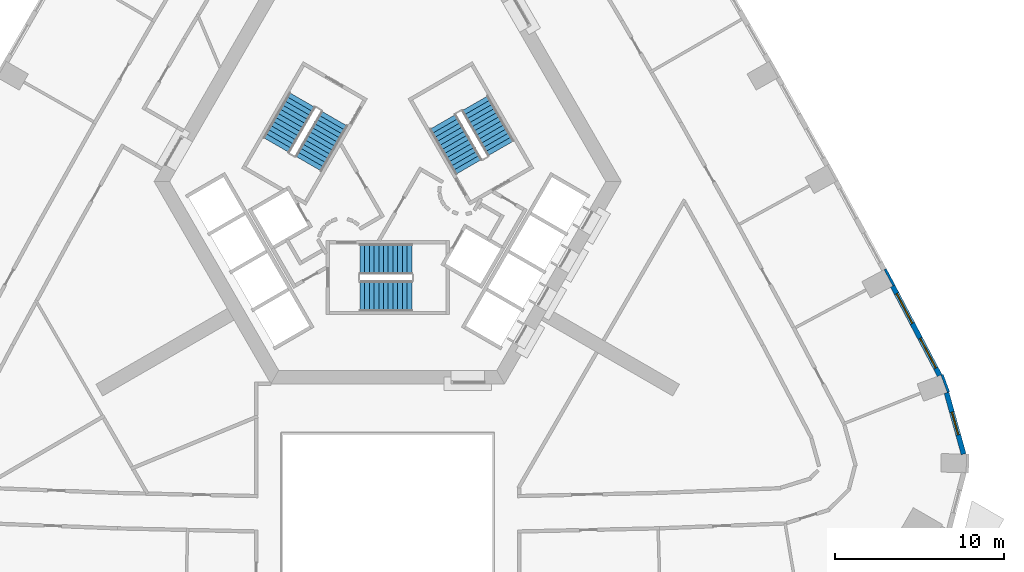
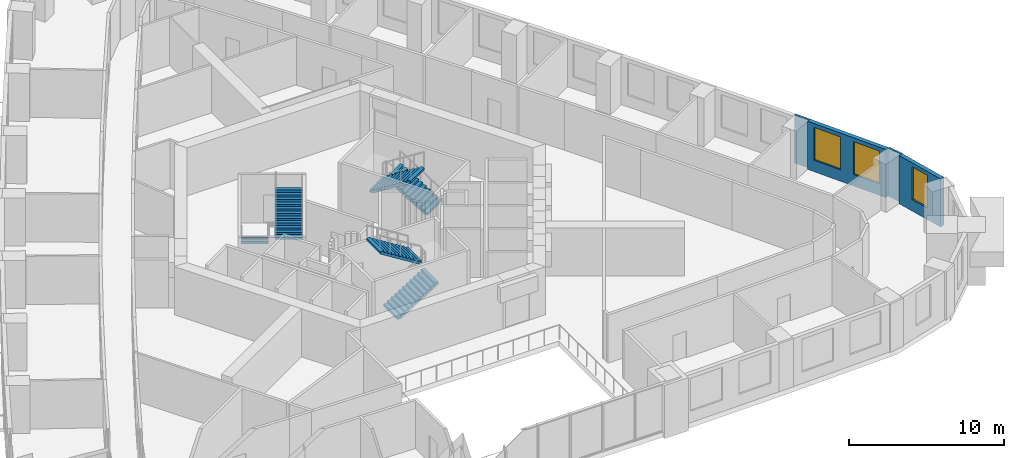
# One storey, part 11 of 14: 6 stair flights, 4 walls, 3 windows, 3 openings, 3 elements without a shape of their own.
"""IFC4 building model written with IfcOpenShell, lengths in metres."""

from ifc_helpers import new_model, si_unit, direction, frame, frame_2d, origin, place, context, subcontext, project, spatial, polyline, rectangle, outline, extrude, material, layer, layer_set, type_object, element, fill, aggregate, save


model = new_model("IFC4")

# Units and contexts
model_context = context("Model", 3, precision=1e-05, world=origin(), true_north=direction((0.0, 1.0)))
body_context = subcontext(model_context, "Body", "Model", "MODEL_VIEW")
ifc_project = project(units=[si_unit("LENGTHUNIT", "METRE"), si_unit("AREAUNIT", "SQUARE_METRE"), si_unit("VOLUMEUNIT", "CUBIC_METRE"), si_unit("PLANEANGLEUNIT", "RADIAN"), si_unit("MASSUNIT", "GRAM", prefix="KILO")], contexts=[model_context])

# Site, building, storey
site_placement = place(None, origin())
site = spatial("IfcSite", under=ifc_project, at=site_placement, CompositionType="ELEMENT")
building_placement = place(site_placement, origin())
building = spatial("IfcBuilding", under=site, at=building_placement, Name="Entoto Arch Interchange Tower", CompositionType="ELEMENT")
storey_placement = place(building_placement, frame((0.0, 0.0, 159.199951171875)))
storey = spatial("IfcBuildingStorey", under=building, at=storey_placement, Name="L35", CompositionType="ELEMENT", Elevation=159.199951171875)

# Wall, opening, window
ifc_material_1 = material(Name="Welded tuff (ignimbrite) cladding, warm buff", Category="masonry")
ifc_layer_1 = layer(ifc_material_1, 0.300048828125)
ifc_layer_set_1 = layer_set([ifc_layer_1], Name="Welded tuff (ignimbrite) cladding, warm buff")
wall_type_1 = type_object("IfcWallType", Name="STONE INFILL WALL 300", PredefinedType="STANDARD", material=ifc_layer_set_1)
wall_1_placement = place(storey_placement, frame((34.154052734375, -13.6669921875, 0.0), z_axis=(0.0, 0.0, 1.0), x_axis=(-0.26799398221, 0.963420585985, 0.0)))
wall_1 = element("IfcWall", 1, at=wall_1_placement, inside=storey, type_object=wall_type_1, Name="Facade wall SE-04 L35", PredefinedType="STANDARD", context=body_context, shape_type="SweptSolid", body=[
    extrude(rectangle(XDim=3.776123046875, YDim=0.300048828125, at=frame_2d((1.88818359375, 0.0))), origin(), (0.0, 0.0, 1.0), 3.800048828125),
])
opening_1_placement = place(wall_1_placement, frame((1.18798828125, 0.0, 0.89990234375)))
opening_1 = element("IfcOpeningElement", 2, at=opening_1_placement, cuts=wall_1, Name="Opening WO-B", PredefinedType="OPENING", context=body_context, shape_type="SweptSolid", body=[
    extrude(rectangle(XDim=1.39990234375, YDim=2.60009765625, at=frame_2d((0.699951171875, 1.300048828125))), frame((0.0, 0.16015625, 0.0), z_axis=(0.0, -1.0, 0.0), x_axis=(1.0, 0.0, 0.0)), (0.0, 0.0, 1.0), 0.320068359375),
])
ifc_material_2 = material(Name="Clear glass, low-e double glazed", Category="glass")
window_type_1 = type_object("IfcWindowType", Name="WINDOW WO-B 1400x2600", PartitioningType="DOUBLE_PANEL_VERTICAL", PredefinedType="WINDOW", material=ifc_material_2)
window_1_placement = place(opening_1_placement, origin())
window_1 = element("IfcWindow", 3, at=window_1_placement, inside=storey, type_object=window_type_1, Name="Window WO-B SE-04 L35", OverallHeight=2.60009765625, OverallWidth=1.39990234375, PartitioningType="SINGLE_PANEL", PredefinedType="WINDOW", context=body_context, shape_type="SweptSolid", body=[
    extrude(rectangle(XDim=1.39990234375, YDim=2.60009765625, at=frame_2d((0.699951171875, 1.300048828125))), frame((0.0, 0.030029296875, 0.0), z_axis=(0.0, -1.0, 0.0), x_axis=(1.0, 0.0, 0.0)), (0.0, 0.0, 1.0), 0.06005859375),
])
fill(opening_1, window_1)

# Wall, openings, windows
wall_2_placement = place(storey_placement, frame((32.737060546875, -9.008056640625, 0.0), z_axis=(0.0, 0.0, 1.0), x_axis=(-0.465104650407, 0.885255705528, 0.0)))
wall_2 = element("IfcWall", 4, at=wall_2_placement, inside=storey, type_object=wall_type_1, Name="Facade wall NE-01 L35", PredefinedType="STANDARD", context=body_context, shape_type="SweptSolid", body=[
    extrude(rectangle(XDim=5.990234375, YDim=0.300048828125, at=frame_2d((2.9951171875, 0.0))), origin(), (0.0, 0.0, 1.0), 3.800048828125),
])
opening_2_placement = place(wall_2_placement, frame((0.498046875, 0.0, 0.89990234375)))
opening_2 = element("IfcOpeningElement", 5, at=opening_2_placement, cuts=wall_2, Name="Opening WO-C", PredefinedType="OPENING", context=body_context, shape_type="SweptSolid", body=[
    extrude(rectangle(XDim=2.0, YDim=2.60009765625, at=frame_2d((1.0, 1.300048828125))), frame((0.0, 0.16015625, 0.0), z_axis=(0.0, -1.0, 0.0), x_axis=(1.0, 0.0, 0.0)), (0.0, 0.0, 1.0), 0.320068359375),
])
opening_3_placement = place(wall_2_placement, frame((3.492919921875, 0.0, 0.89990234375)))
opening_3 = element("IfcOpeningElement", 6, at=opening_3_placement, cuts=wall_2, Name="Opening WO-C", PredefinedType="OPENING", context=body_context, shape_type="SweptSolid", body=[
    extrude(rectangle(XDim=2.0, YDim=2.60009765625, at=frame_2d((1.0, 1.300048828125))), frame((0.0, 0.16015625, 0.0), z_axis=(0.0, -1.0, 0.0), x_axis=(1.0, 0.0, 0.0)), (0.0, 0.0, 1.0), 0.320068359375),
])
window_type_2 = type_object("IfcWindowType", Name="WINDOW WO-C 2000x2600", PartitioningType="DOUBLE_PANEL_VERTICAL", PredefinedType="WINDOW", material=ifc_material_2)
window_2_placement = place(opening_2_placement, origin())
window_2 = element("IfcWindow", 7, at=window_2_placement, inside=storey, type_object=window_type_2, Name="Window WO-C NE-01 L35", OverallHeight=2.60009765625, OverallWidth=2.0, PartitioningType="SINGLE_PANEL", PredefinedType="WINDOW", context=body_context, shape_type="SweptSolid", body=[
    extrude(rectangle(XDim=2.0, YDim=2.60009765625, at=frame_2d((1.0, 1.300048828125))), frame((0.0, 0.030029296875, 0.0), z_axis=(0.0, -1.0, 0.0), x_axis=(1.0, 0.0, 0.0)), (0.0, 0.0, 1.0), 0.06005859375),
])
fill(opening_2, window_2)
window_3_placement = place(opening_3_placement, origin())
window_3 = element("IfcWindow", 8, at=window_3_placement, inside=storey, type_object=window_type_2, Name="Window WO-C NE-01 L35", OverallHeight=2.60009765625, OverallWidth=2.0, PartitioningType="SINGLE_PANEL", PredefinedType="WINDOW", context=body_context, shape_type="SweptSolid", body=[
    extrude(rectangle(XDim=2.0, YDim=2.60009765625, at=frame_2d((1.0, 1.300048828125))), frame((0.0, 0.030029296875, 0.0), z_axis=(0.0, -1.0, 0.0), x_axis=(1.0, 0.0, 0.0)), (0.0, 0.0, 1.0), 0.06005859375),
])
fill(opening_3, window_3)

# Walls
ifc_layer_2 = layer(ifc_material_1, 0.14990234375)
ifc_layer_set_2 = layer_set([ifc_layer_2], Name="Welded tuff (ignimbrite) cladding, warm buff")
wall_type_2 = type_object("IfcWallType", Name="STONE PIER CLADDING 150", PredefinedType="STANDARD", material=ifc_layer_set_2)
for number, where, z_axis, x_axis, name in (
    (9, (33.256103515625, -9.988037109375, 0.0), (0.0, 0.0, 1.0), (-0.346425160624, 0.93807761304, 0.0), "Stone pier NE01 L35"),
    (10, (30.02001953125, -3.6689453125, 0.0), (0.0, 0.0, 1.0), (-0.470058271093, 0.88263538439, 0.0), "Stone pier NE02 L35"),
):
    element("IfcWall", number, at=place(storey_placement, frame(where, z_axis=z_axis, x_axis=x_axis)), inside=storey, type_object=wall_type_2, Name=name, PredefinedType="STANDARD", context=body_context, shape_type="SweptSolid", body=[
        extrude(rectangle(XDim=1.10009765625, YDim=0.14990234375, at=frame_2d((0.550048828125, 0.0))), origin(), (0.0, 0.0, 1.0), 3.800048828125),
    ])

# Stair, stair flights
ifc_material_3 = material(Name="Concrete C40/50", Category="concrete")
stair_type = type_object("IfcStairType", Name="EXIT STAIR RC 1800", PredefinedType="HALF_TURN_STAIR", material=ifc_material_3)
stair_1_placement = place(storey_placement, origin())
stair_1 = element("IfcStair", 11, at=stair_1_placement, inside=storey, type_object=stair_type, Name="L35 Exit stair S", PredefinedType="HALF_TURN_STAIR")
stair_flight_type = type_object("IfcStairFlightType", Name="EXIT STAIR FLIGHT RC 1800", PredefinedType="STRAIGHT", material=ifc_material_3)
stair_flight_1_placement = place(storey_placement, frame((-1.64990234375, -4.300048828125, 0.0), z_axis=(0.0, 0.0, 1.0), x_axis=(1.0, 0.0, 0.0)))
stair_flight_1 = element("IfcStairFlight", 12, at=stair_flight_1_placement, type_object=stair_flight_type, Name="ST-S flight 1", NumberOfRisers=12, NumberOfTreads=11, PredefinedType="STRAIGHT", RiserHeight=0.175, TreadLength=0.28, context=body_context, shape_type="SweptSolid", body=[
    extrude(outline(polyline([(-0.0029296875, 0.0), (-0.0029296875, 0.175048828125), (0.280029296875, 0.175048828125), (0.280029296875, 0.35009765625), (0.56005859375, 0.35009765625), (0.56005859375, 0.52490234375), (0.840087890625, 0.52490234375), (0.840087890625, 0.699951171875), (1.1201171875, 0.699951171875), (1.1201171875, 0.875), (1.39990234375, 0.875), (1.39990234375, 1.050048828125), (1.679931640625, 1.050048828125), (1.679931640625, 1.22509765625), (1.9599609375, 1.22509765625), (1.9599609375, 1.39990234375), (2.239990234375, 1.39990234375), (2.239990234375, 1.574951171875), (2.52001953125, 1.574951171875), (2.52001953125, 1.75), (2.800048828125, 1.75), (2.800048828125, 1.925048828125), (3.080078125, 1.925048828125), (3.0830078125, 1.925048828125), (3.0830078125, 1.75), (0.28271484375, 0.0), (-0.0029296875, 0.0)])), frame((0.0, 0.89990234375, 0.0), z_axis=(0.0, -1.0, 0.0), x_axis=(1.0, 0.0, 0.0)), (0.0, 0.0, 1.0), 1.800048828125),
])
stair_flight_2_placement = place(storey_placement, frame((1.429931640625, -2.10009765625, 2.10009765625), z_axis=(0.0, 0.0, 1.0), x_axis=(-1.0, 0.0, 0.0)))
stair_flight_2 = element("IfcStairFlight", 13, at=stair_flight_2_placement, type_object=stair_flight_type, Name="ST-S flight 2", NumberOfRisers=12, NumberOfTreads=11, PredefinedType="STRAIGHT", RiserHeight=0.175, TreadLength=0.28, context=body_context, shape_type="SweptSolid", body=[
    extrude(outline(polyline([(-0.0029296875, 0.0), (-0.0029296875, 0.175048828125), (0.280029296875, 0.175048828125), (0.280029296875, 0.35009765625), (0.56005859375, 0.35009765625), (0.56005859375, 0.52490234375), (0.840087890625, 0.52490234375), (0.840087890625, 0.699951171875), (1.1201171875, 0.699951171875), (1.1201171875, 0.875), (1.39990234375, 0.875), (1.39990234375, 1.050048828125), (1.679931640625, 1.050048828125), (1.679931640625, 1.22509765625), (1.9599609375, 1.22509765625), (1.9599609375, 1.39990234375), (2.239990234375, 1.39990234375), (2.239990234375, 1.574951171875), (2.52001953125, 1.574951171875), (2.52001953125, 1.75), (2.800048828125, 1.75), (2.800048828125, 1.925048828125), (3.080078125, 1.925048828125), (3.0830078125, 1.925048828125), (3.0830078125, 1.75), (0.28271484375, 0.0), (-0.0029296875, 0.0)])), frame((0.0, 0.89990234375, 0.0), z_axis=(0.0, -1.0, 0.0), x_axis=(1.0, 0.0, 0.0)), (0.0, 0.0, 1.0), 1.800048828125),
])
aggregate(stair_1, [stair_flight_1, stair_flight_2])

stair_2_placement = place(storey_placement, origin())
stair_2 = element("IfcStair", 14, at=stair_2_placement, inside=storey, type_object=stair_type, Name="L35 Exit stair NE", PredefinedType="HALF_TURN_STAIR")
stair_flight_3_placement = place(storey_placement, frame((6.7138671875, 4.470947265625, 0.0), z_axis=(0.0, 0.0, 1.0), x_axis=(-0.5, 0.866025403784, 0.0)))
stair_flight_3 = element("IfcStairFlight", 15, at=stair_flight_3_placement, type_object=stair_flight_type, Name="ST-NE flight 1", NumberOfRisers=12, NumberOfTreads=11, PredefinedType="STRAIGHT", RiserHeight=0.175, TreadLength=0.28, context=body_context, shape_type="SweptSolid", body=[
    extrude(outline(polyline([(-0.0029296875, 0.0), (-0.0029296875, 0.175048828125), (0.280029296875, 0.175048828125), (0.280029296875, 0.35009765625), (0.56005859375, 0.35009765625), (0.56005859375, 0.52490234375), (0.840087890625, 0.52490234375), (0.840087890625, 0.699951171875), (1.1201171875, 0.699951171875), (1.1201171875, 0.875), (1.39990234375, 0.875), (1.39990234375, 1.050048828125), (1.679931640625, 1.050048828125), (1.679931640625, 1.22509765625), (1.9599609375, 1.22509765625), (1.9599609375, 1.39990234375), (2.239990234375, 1.39990234375), (2.239990234375, 1.574951171875), (2.52001953125, 1.574951171875), (2.52001953125, 1.75), (2.800048828125, 1.75), (2.800048828125, 1.925048828125), (3.080078125, 1.925048828125), (3.0830078125, 1.925048828125), (3.0830078125, 1.75), (0.28271484375, 0.0), (-0.0029296875, 0.0)])), frame((0.0, 0.89990234375, 0.0), z_axis=(0.0, -1.0, 0.0), x_axis=(1.0, 0.0, 0.0)), (0.0, 0.0, 1.0), 1.800048828125),
])
stair_flight_4_placement = place(storey_placement, frame((3.268798828125, 6.038330078125, 2.10009765625), z_axis=(0.0, 0.0, 1.0), x_axis=(0.5, -0.866025403784, 0.0)))
stair_flight_4 = element("IfcStairFlight", 16, at=stair_flight_4_placement, type_object=stair_flight_type, Name="ST-NE flight 2", NumberOfRisers=12, NumberOfTreads=11, PredefinedType="STRAIGHT", RiserHeight=0.175, TreadLength=0.28, context=body_context, shape_type="SweptSolid", body=[
    extrude(outline(polyline([(-0.0029296875, 0.0), (-0.0029296875, 0.175048828125), (0.280029296875, 0.175048828125), (0.280029296875, 0.35009765625), (0.56005859375, 0.35009765625), (0.56005859375, 0.52490234375), (0.840087890625, 0.52490234375), (0.840087890625, 0.699951171875), (1.1201171875, 0.699951171875), (1.1201171875, 0.875), (1.39990234375, 0.875), (1.39990234375, 1.050048828125), (1.679931640625, 1.050048828125), (1.679931640625, 1.22509765625), (1.9599609375, 1.22509765625), (1.9599609375, 1.39990234375), (2.239990234375, 1.39990234375), (2.239990234375, 1.574951171875), (2.52001953125, 1.574951171875), (2.52001953125, 1.75), (2.800048828125, 1.75), (2.800048828125, 1.925048828125), (3.080078125, 1.925048828125), (3.0830078125, 1.925048828125), (3.0830078125, 1.75), (0.28271484375, 0.0), (-0.0029296875, 0.0)])), frame((0.0, 0.89990234375, 0.0), z_axis=(0.0, -1.0, 0.0), x_axis=(1.0, 0.0, 0.0)), (0.0, 0.0, 1.0), 1.800048828125),
])
aggregate(stair_2, [stair_flight_3, stair_flight_4])

stair_3_placement = place(storey_placement, origin())
stair_3 = element("IfcStair", 17, at=stair_3_placement, inside=storey, type_object=stair_type, Name="L35 Exit stair NW", PredefinedType="HALF_TURN_STAIR")
stair_flight_5_placement = place(storey_placement, frame((-5.06396484375, 7.328857421875, 0.0), z_axis=(0.0, 0.0, 1.0), x_axis=(-0.5, -0.866025403784, 0.0)))
stair_flight_5 = element("IfcStairFlight", 18, at=stair_flight_5_placement, type_object=stair_flight_type, Name="ST-NW flight 1", NumberOfRisers=12, NumberOfTreads=11, PredefinedType="STRAIGHT", RiserHeight=0.175, TreadLength=0.28, context=body_context, shape_type="SweptSolid", body=[
    extrude(outline(polyline([(-0.0029296875, 0.0), (-0.0029296875, 0.175048828125), (0.280029296875, 0.175048828125), (0.280029296875, 0.35009765625), (0.56005859375, 0.35009765625), (0.56005859375, 0.52490234375), (0.840087890625, 0.52490234375), (0.840087890625, 0.699951171875), (1.1201171875, 0.699951171875), (1.1201171875, 0.875), (1.39990234375, 0.875), (1.39990234375, 1.050048828125), (1.679931640625, 1.050048828125), (1.679931640625, 1.22509765625), (1.9599609375, 1.22509765625), (1.9599609375, 1.39990234375), (2.239990234375, 1.39990234375), (2.239990234375, 1.574951171875), (2.52001953125, 1.574951171875), (2.52001953125, 1.75), (2.800048828125, 1.75), (2.800048828125, 1.925048828125), (3.080078125, 1.925048828125), (3.0830078125, 1.925048828125), (3.0830078125, 1.75), (0.28271484375, 0.0), (-0.0029296875, 0.0)])), frame((0.0, 0.89990234375, 0.0), z_axis=(0.0, -1.0, 0.0), x_axis=(1.0, 0.0, 0.0)), (0.0, 0.0, 1.0), 1.800048828125),
])
stair_flight_6_placement = place(storey_placement, frame((-4.69873046875, 3.5615234375, 2.10009765625), z_axis=(0.0, 0.0, 1.0), x_axis=(0.5, 0.866025403784, 0.0)))
stair_flight_6 = element("IfcStairFlight", 19, at=stair_flight_6_placement, type_object=stair_flight_type, Name="ST-NW flight 2", NumberOfRisers=12, NumberOfTreads=11, PredefinedType="STRAIGHT", RiserHeight=0.175, TreadLength=0.28, context=body_context, shape_type="SweptSolid", body=[
    extrude(outline(polyline([(-0.0029296875, 0.0), (-0.0029296875, 0.175048828125), (0.280029296875, 0.175048828125), (0.280029296875, 0.35009765625), (0.56005859375, 0.35009765625), (0.56005859375, 0.52490234375), (0.840087890625, 0.52490234375), (0.840087890625, 0.699951171875), (1.1201171875, 0.699951171875), (1.1201171875, 0.875), (1.39990234375, 0.875), (1.39990234375, 1.050048828125), (1.679931640625, 1.050048828125), (1.679931640625, 1.22509765625), (1.9599609375, 1.22509765625), (1.9599609375, 1.39990234375), (2.239990234375, 1.39990234375), (2.239990234375, 1.574951171875), (2.52001953125, 1.574951171875), (2.52001953125, 1.75), (2.800048828125, 1.75), (2.800048828125, 1.925048828125), (3.080078125, 1.925048828125), (3.0830078125, 1.925048828125), (3.0830078125, 1.75), (0.28271484375, 0.0), (-0.0029296875, 0.0)])), frame((0.0, 0.89990234375, 0.0), z_axis=(0.0, -1.0, 0.0), x_axis=(1.0, 0.0, 0.0)), (0.0, 0.0, 1.0), 1.800048828125),
])
aggregate(stair_3, [stair_flight_5, stair_flight_6])

save(model, "model.ifc")
